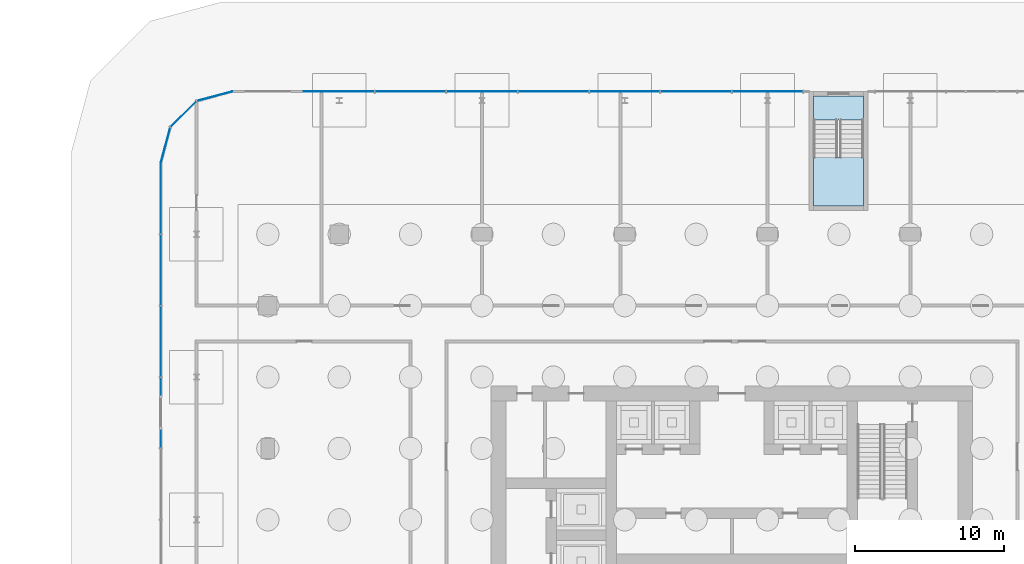
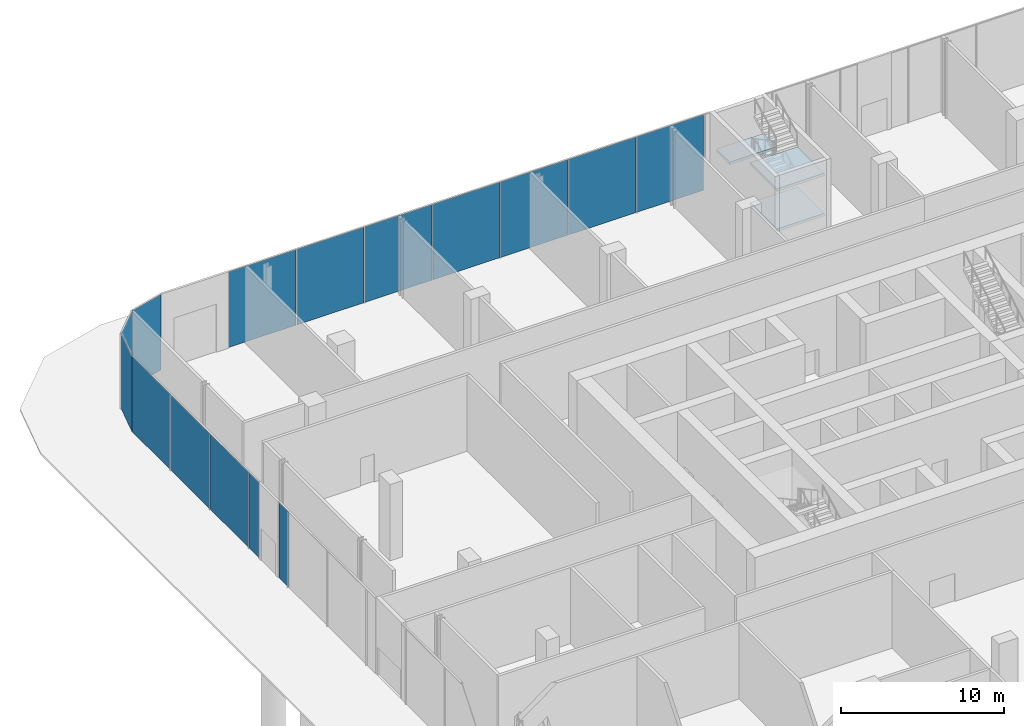
# One storey, part 25 of 44: 15 plates, 3 slabs, 4 elements without a shape of their own.
"""IFC4 building model written with IfcOpenShell, lengths in metres."""

import ifcopenshell
import ifcopenshell.guid

model = None  # the IFC model being written
_history = None  # IfcOwnerHistory: only IFC2X3 demands one
_inside = {}  # id of a spatial element -> (the spatial element, [elements in it])
_under = {}  # id of a project, library or spatial element -> (it, [spatial elements below it])
_declared = {}  # id of a project -> (the project, [libraries it declares])
_typed = {}  # id of a type object -> (the type object, [elements of that type])
_made_of = {}  # id of a material, layer set ... -> (it, [elements and type objects made of it])


def new_model(schema):
    """Start an empty IFC model of exactly this schema.

    Asked for "IFC4X3", IfcOpenShell would pick the latest addendum, in which some entities
    have other attributes; the version numbers below select the first issue.
    IFC2X3 requires an IfcOwnerHistory on every rooted entity: one is made here for all.
    """
    global model, _history
    if schema == "IFC4X3":
        model = ifcopenshell.file(schema_version=(4, 3, 0, 0))
    else:
        model = ifcopenshell.file(schema=schema)
    _inside.clear()
    _under.clear()
    _declared.clear()
    _typed.clear()
    _made_of.clear()
    _history = None
    if model.schema == "IFC2X3":
        org = make("IfcOrganization", Name="unknown")
        user = make(
            "IfcPersonAndOrganization",
            ThePerson=make("IfcPerson", FamilyName="unknown"),
            TheOrganization=org,
        )
        app = make(
            "IfcApplication",
            ApplicationDeveloper=org,
            Version="unknown",
            ApplicationFullName="unknown",
            ApplicationIdentifier="unknown",
        )
        _history = make(
            "IfcOwnerHistory",
            OwningUser=user,
            OwningApplication=app,
            ChangeAction="ADDED",
            CreationDate=0,
        )
    return model


def make(cls, **values):
    """One entity of the class cls with the attributes given. An attribute that is None is left unset."""
    return model.create_entity(
        cls, **{name: value for name, value in values.items() if value is not None}
    )


def rooted(cls, **values):
    """An entity with a GlobalId (a new one), such as an element, a storey or a relation."""
    return make(cls, GlobalId=ifcopenshell.guid.new(), OwnerHistory=_history, **values)


def si_unit(unit_type, name, prefix=None):
    """IfcSIUnit, for example si_unit("LENGTHUNIT", "METRE", prefix="MILLI")."""
    return make("IfcSIUnit", UnitType=unit_type, Prefix=prefix, Name=name)


def assignment(units):
    """IfcUnitAssignment: the units of a project."""
    return None if units is None else make("IfcUnitAssignment", Units=units)


def point(xyz):
    """IfcCartesianPoint."""
    return None if xyz is None else make("IfcCartesianPoint", Coordinates=xyz)


def direction(xyz):
    """IfcDirection."""
    return None if xyz is None else make("IfcDirection", DirectionRatios=xyz)


def frame(location, z_axis=None, x_axis=None):
    """IfcAxis2Placement3D, a coordinate frame: its origin and axes. An axis left out is left unset."""
    return make(
        "IfcAxis2Placement3D",
        Location=point(location),
        Axis=direction(z_axis),
        RefDirection=direction(x_axis),
    )


def frame_2d(location, x_axis=None):
    """IfcAxis2Placement2D, a coordinate frame in the plane: its origin and x axis."""
    return make(
        "IfcAxis2Placement2D", Location=point(location), RefDirection=direction(x_axis)
    )


def origin():
    """The frame at (0, 0, 0) with its axes left unset."""
    return frame((0.0, 0.0, 0.0))


def origin_2d():
    """The frame at (0, 0) in the plane with its x axis left unset."""
    return frame_2d((0.0, 0.0))


def place(relative_to, where):
    """IfcLocalPlacement: puts the frame where relative to a parent placement (None: the world)."""
    return make(
        "IfcLocalPlacement", PlacementRelTo=relative_to, RelativePlacement=where
    )


def context(
    kind, dimensions, precision=None, world=None, true_north=None, identifier=None
):
    """IfcGeometricRepresentationContext, for example the 3D "Model" context."""
    return make(
        "IfcGeometricRepresentationContext",
        ContextIdentifier=identifier,
        ContextType=kind,
        CoordinateSpaceDimension=dimensions,
        Precision=precision,
        WorldCoordinateSystem=world,
        TrueNorth=true_north,
    )


def subcontext(parent, identifier, kind, view, scale=None):
    """IfcGeometricRepresentationSubContext, for example "Body" below "Model"."""
    return make(
        "IfcGeometricRepresentationSubContext",
        ContextIdentifier=identifier,
        ContextType=kind,
        ParentContext=parent,
        TargetScale=scale,
        TargetView=view,
    )


def project(units=None, contexts=None):
    """IfcProject with its units and contexts."""
    return rooted(
        "IfcProject",
        Name="project",
        RepresentationContexts=contexts,
        UnitsInContext=assignment(units),
    )


def spatial(cls, under=None, at=None, **own):
    """A site, building, storey or space (cls), placed at a placement, below another one or the project."""
    s = rooted(cls, ObjectPlacement=at, **own)
    if under is not None:
        _under.setdefault(under.id(), (under, []))[1].append(s)
    return s


def polyline(points):
    """IfcPolyline through the points."""
    return make("IfcPolyline", Points=[point(p) for p in points])


def profile(cls, at=None, kind="AREA", **sizes):
    """A parametric profile (cls). Its sizes go by their IFC names, for example OverallWidth=200.0."""
    return make(cls, ProfileType=kind, Position=at, **sizes)


def rectangle(**sizes):
    """IfcRectangleProfileDef."""
    return profile("IfcRectangleProfileDef", **sizes)


def outline(outer, holes=None, kind="AREA"):
    """IfcArbitraryClosedProfileDef: a profile drawn as a closed curve; with holes, ...WithVoids."""
    if holes is None:
        return make("IfcArbitraryClosedProfileDef", ProfileType=kind, OuterCurve=outer)
    return make(
        "IfcArbitraryProfileDefWithVoids",
        ProfileType=kind,
        OuterCurve=outer,
        InnerCurves=holes,
    )


def extrude(swept, where, along, depth):
    """IfcExtrudedAreaSolid: the profile swept, set in the frame where, extruded along a direction by depth."""
    return make(
        "IfcExtrudedAreaSolid",
        SweptArea=swept,
        Position=where,
        ExtrudedDirection=direction(along),
        Depth=depth,
    )


def shape(context_of_items, identifier, shape_type, items):
    """IfcShapeRepresentation: the items that make up one representation, for example the "Body"."""
    return make(
        "IfcShapeRepresentation",
        ContextOfItems=context_of_items,
        RepresentationIdentifier=identifier,
        RepresentationType=shape_type,
        Items=items,
    )


def material(Name=None, Category=None):
    """IfcMaterial."""
    return make("IfcMaterial", Name=Name, Category=Category)


def layer(
    of_material, thickness, ventilated=None, Name=None, Category=None, Priority=None
):
    """IfcMaterialLayer: one layer of a wall or slab, of a material (None: an air gap)."""
    return make(
        "IfcMaterialLayer",
        Material=of_material,
        LayerThickness=thickness,
        IsVentilated=ventilated,
        Name=Name,
        Category=Category,
        Priority=Priority,
    )


def layer_set(layers, Name=None):
    """IfcMaterialLayerSet."""
    return make("IfcMaterialLayerSet", MaterialLayers=layers, LayerSetName=Name)


def made_of(thing, what):
    """Note that an element or type object is made of a material, layer set ...; save() writes the relation."""
    if what is not None:
        _made_of.setdefault(what.id(), (what, []))[1].append(thing)
    return thing


def type_object(cls, material=None, **own):
    """A type object (cls), such as IfcWallType, which elements share."""
    return made_of(rooted(cls, **own), material)


def element(
    cls,
    number,
    at=None,
    inside=None,
    cuts=None,
    type_object=None,
    material=None,
    context=None,
    identifier="Body",
    shape_type=None,
    held_by="IfcProductDefinitionShape",
    body=None,
    shapes=None,
    **own,
):
    """One element of the class cls, such as IfcWall. Its Tag is "e" and its number.

    at: its placement. inside: the storey or other place that contains it. cuts: it is an
    opening in that element (IfcRelVoidsElement). A single representation is given by context,
    identifier, shape_type and body (its items); several are given by shapes. held_by: the class
    of the entity that holds the representations. save() writes the other relations.
    """
    e = rooted(cls, Tag="e%d" % number, ObjectPlacement=at, **own)
    if body is not None:
        shapes = [shape(context, identifier, shape_type, body)]
    if shapes is not None:
        e.Representation = make(held_by, Representations=shapes)
    if inside is not None:
        _inside.setdefault(inside.id(), (inside, []))[1].append(e)
    if cuts is not None:
        rooted(
            "IfcRelVoidsElement", RelatingBuildingElement=cuts, RelatedOpeningElement=e
        )
    if type_object is not None:
        _typed.setdefault(type_object.id(), (type_object, []))[1].append(e)
    return made_of(e, material)


def aggregate(whole, parts):
    """IfcRelAggregates: a whole, such as a stair, and the parts it consists of."""
    return rooted("IfcRelAggregates", RelatingObject=whole, RelatedObjects=parts)


def save(model, path):
    """Write the relations noted so far, then the file.

    IfcRelAggregates (storeys below a building ...), IfcRelContainedInSpatialStructure (elements
    in a storey), IfcRelDefinesByType, IfcRelAssociatesMaterial and IfcRelDeclares: one each for
    every whole, place, type object, material and project.
    """
    for whole, parts in _under.values():
        aggregate(whole, parts)
    for where, things in _inside.values():
        rooted(
            "IfcRelContainedInSpatialStructure",
            RelatedElements=things,
            RelatingStructure=where,
        )
    for kind, things in _typed.values():
        rooted("IfcRelDefinesByType", RelatedObjects=things, RelatingType=kind)
    for what, things in _made_of.values():
        rooted("IfcRelAssociatesMaterial", RelatedObjects=things, RelatingMaterial=what)
    for by, libraries in _declared.values():
        rooted("IfcRelDeclares", RelatingContext=by, RelatedDefinitions=libraries)
    model.write(path)


model = new_model("IFC4")

# Units and contexts
model_context = context("Model", 3, precision=1e-05, world=origin(), true_north=direction((0.0, 1.0)))
body_context = subcontext(model_context, "Body", "Model", "MODEL_VIEW")
ifc_project = project(units=[si_unit("LENGTHUNIT", "METRE"), si_unit("AREAUNIT", "SQUARE_METRE"), si_unit("VOLUMEUNIT", "CUBIC_METRE"), si_unit("PLANEANGLEUNIT", "RADIAN"), si_unit("MASSUNIT", "GRAM", prefix="KILO")], contexts=[model_context])

# Site, building, storey
site_placement = place(None, origin())
site = spatial("IfcSite", under=ifc_project, at=site_placement, CompositionType="ELEMENT")
building_placement = place(site_placement, origin())
building = spatial("IfcBuilding", under=site, at=building_placement, Name="Madar Terraces", CompositionType="ELEMENT")
storey_placement = place(building_placement, origin())
storey = spatial("IfcBuildingStorey", under=building, at=storey_placement, Name="L00", CompositionType="ELEMENT", Elevation=0.0)

# Curtain wall, plates
ifc_material_1 = material(Name="Glass, clear low-iron, with black aluminium frame", Category="aluminium")
ifc_layer_1 = layer(ifc_material_1, 0.199951171875)
ifc_layer_set_1 = layer_set([ifc_layer_1], Name="Facade curtain wall, shopfront glazing")
curtain_wall_type = type_object("IfcCurtainWallType", Name="Facade curtain wall, shopfront glazing", PredefinedType="NOTDEFINED", material=ifc_layer_set_1)
curtain_wall_1_placement = place(storey_placement, origin())
curtain_wall_1 = element("IfcCurtainWall", 1, at=curtain_wall_1_placement, inside=storey, type_object=curtain_wall_type, Name="Outer skin curtain wall north bay 1", PredefinedType="NOTDEFINED")
ifc_material_2 = material(Name="Glass, ceramic frit dark grey", Category="glass")
ifc_layer_2 = layer(ifc_material_2, 0.028076171875)
ifc_layer_set_2 = layer_set([ifc_layer_2], Name="Facade glass panel 28")
plate_type = type_object("IfcPlateType", Name="Facade glass panel 28", PredefinedType="CURTAIN_PANEL", material=ifc_layer_set_2)
plate_1_placement = place(storey_placement, frame((33.60009765625, 57.60009765625, 0.0), z_axis=(0.0, 0.0, 1.0), x_axis=(-1.0, 0.0, 0.0)))
plate_1 = element("IfcPlate", 2, at=plate_1_placement, type_object=plate_type, Name="Panel 9", PredefinedType="CURTAIN_PANEL", context=body_context, shape_type="SweptSolid", body=[
    extrude(rectangle(XDim=4.739990234375, YDim=0.028076171875, at=origin_2d()), origin(), (0.0, 0.0, 1.0), 5.639892578125),
])
plate_2_placement = place(storey_placement, frame((28.800048828125, 57.60009765625, 0.0), z_axis=(0.0, 0.0, 1.0), x_axis=(-1.0, 0.0, 0.0)))
plate_2 = element("IfcPlate", 3, at=plate_2_placement, type_object=plate_type, Name="Panel 10", PredefinedType="CURTAIN_PANEL", context=body_context, shape_type="SweptSolid", body=[
    extrude(rectangle(XDim=4.739990234375, YDim=0.028076171875, at=origin_2d()), origin(), (0.0, 0.0, 1.0), 5.639892578125),
])
plate_3_placement = place(storey_placement, frame((24.0, 57.60009765625, 0.0), z_axis=(0.0, 0.0, 1.0), x_axis=(-1.0, 0.0, 0.0)))
plate_3 = element("IfcPlate", 4, at=plate_3_placement, type_object=plate_type, Name="Panel 11", PredefinedType="CURTAIN_PANEL", context=body_context, shape_type="SweptSolid", body=[
    extrude(rectangle(XDim=4.739990234375, YDim=0.028076171875, at=origin_2d()), origin(), (0.0, 0.0, 1.0), 5.639892578125),
])
plate_4_placement = place(storey_placement, frame((19.199951171875, 57.60009765625, 0.0), z_axis=(0.0, 0.0, 1.0), x_axis=(-1.0, 0.0, 0.0)))
plate_4 = element("IfcPlate", 5, at=plate_4_placement, type_object=plate_type, Name="Panel 12", PredefinedType="CURTAIN_PANEL", context=body_context, shape_type="SweptSolid", body=[
    extrude(rectangle(XDim=4.739990234375, YDim=0.028076171875, at=origin_2d()), origin(), (0.0, 0.0, 1.0), 5.639892578125),
])
plate_5_placement = place(storey_placement, frame((14.39990234375, 57.60009765625, 0.0), z_axis=(0.0, 0.0, 1.0), x_axis=(-1.0, 0.0, 0.0)))
plate_5 = element("IfcPlate", 6, at=plate_5_placement, type_object=plate_type, Name="Panel 13", PredefinedType="CURTAIN_PANEL", context=body_context, shape_type="SweptSolid", body=[
    extrude(rectangle(XDim=4.739990234375, YDim=0.028076171875, at=origin_2d()), origin(), (0.0, 0.0, 1.0), 5.639892578125),
])
plate_6_placement = place(storey_placement, frame((9.60009765625, 57.60009765625, 0.0), z_axis=(0.0, 0.0, 1.0), x_axis=(-1.0, 0.0, 0.0)))
plate_6 = element("IfcPlate", 7, at=plate_6_placement, type_object=plate_type, Name="Panel 14", PredefinedType="CURTAIN_PANEL", context=body_context, shape_type="SweptSolid", body=[
    extrude(rectangle(XDim=4.739990234375, YDim=0.028076171875, at=origin_2d()), origin(), (0.0, 0.0, 1.0), 5.639892578125),
])
plate_7_placement = place(storey_placement, frame((4.784912109375, 57.60009765625, 0.0), z_axis=(0.0, 0.0, 1.0), x_axis=(-1.0, 0.0, 0.0)))
plate_7 = element("IfcPlate", 8, at=plate_7_placement, type_object=plate_type, Name="Panel 15", PredefinedType="CURTAIN_PANEL", context=body_context, shape_type="SweptSolid", body=[
    extrude(rectangle(XDim=4.77001953125, YDim=0.028076171875, at=origin_2d()), origin(), (0.0, 0.0, 1.0), 5.639892578125),
])
aggregate(curtain_wall_1, [plate_1, plate_2, plate_3, plate_4, plate_5, plate_6, plate_7])

curtain_wall_2_placement = place(storey_placement, origin())
curtain_wall_2 = element("IfcCurtainWall", 9, at=curtain_wall_2_placement, inside=storey, type_object=curtain_wall_type, Name="Outer skin curtain wall west bay 1", PredefinedType="NOTDEFINED")
plate_8_placement = place(storey_placement, frame((-7.199951171875, 50.4150390625, 0.0), z_axis=(0.0, 0.0, 1.0), x_axis=(0.0, -1.0, 0.0)))
plate_8 = element("IfcPlate", 10, at=plate_8_placement, type_object=plate_type, Name="Panel 1", PredefinedType="CURTAIN_PANEL", context=body_context, shape_type="SweptSolid", body=[
    extrude(rectangle(XDim=4.77001953125, YDim=0.028076171875, at=origin_2d()), origin(), (0.0, 0.0, 1.0), 5.639892578125),
])
plate_9_placement = place(storey_placement, frame((-7.199951171875, 45.60009765625, 0.0), z_axis=(0.0, 0.0, 1.0), x_axis=(0.0, -1.0, 0.0)))
plate_9 = element("IfcPlate", 11, at=plate_9_placement, type_object=plate_type, Name="Panel 2", PredefinedType="CURTAIN_PANEL", context=body_context, shape_type="SweptSolid", body=[
    extrude(rectangle(XDim=4.739990234375, YDim=0.028076171875, at=origin_2d()), origin(), (0.0, 0.0, 1.0), 5.639892578125),
])
plate_10_placement = place(storey_placement, frame((-7.199951171875, 40.800048828125, 0.0), z_axis=(0.0, 0.0, 1.0), x_axis=(0.0, -1.0, 0.0)))
plate_10 = element("IfcPlate", 12, at=plate_10_placement, type_object=plate_type, Name="Panel 3", PredefinedType="CURTAIN_PANEL", context=body_context, shape_type="SweptSolid", body=[
    extrude(rectangle(XDim=4.739990234375, YDim=0.028076171875, at=origin_2d()), origin(), (0.0, 0.0, 1.0), 5.639892578125),
])
plate_11_placement = place(storey_placement, frame((-7.199951171875, 37.784912109375, 0.0), z_axis=(0.0, 0.0, 1.0), x_axis=(0.0, -1.0, 0.0)))
plate_11 = element("IfcPlate", 13, at=plate_11_placement, type_object=plate_type, Name="Panel 4", PredefinedType="CURTAIN_PANEL", context=body_context, shape_type="SweptSolid", body=[
    extrude(rectangle(XDim=1.169921875, YDim=0.028076171875, at=origin_2d()), origin(), (0.0, 0.0, 1.0), 5.639892578125),
])
plate_12_placement = place(storey_placement, frame((-7.199951171875, 34.215087890625, 0.0), z_axis=(0.0, 0.0, 1.0), x_axis=(0.0, -1.0, 0.0)))
plate_12 = element("IfcPlate", 14, at=plate_12_placement, type_object=plate_type, Name="Panel 5", PredefinedType="CURTAIN_PANEL", context=body_context, shape_type="SweptSolid", body=[
    extrude(rectangle(XDim=1.169921875, YDim=0.028076171875, at=origin_2d()), origin(), (0.0, 0.0, 1.0), 5.639892578125),
])
aggregate(curtain_wall_2, [plate_8, plate_9, plate_10, plate_11, plate_12])

curtain_wall_3_placement = place(storey_placement, origin())
curtain_wall_3 = element("IfcCurtainWall", 15, at=curtain_wall_3_placement, inside=storey, type_object=curtain_wall_type, Name="Outer skin curtain wall north-west corner", PredefinedType="NOTDEFINED")
plate_13_placement = place(storey_placement, frame((-3.58544921875, 57.2822265625, 0.0), z_axis=(0.0, 0.0, 1.0), x_axis=(-0.965925832509, -0.258819021888, 0.0)))
plate_13 = element("IfcPlate", 16, at=plate_13_placement, type_object=plate_type, Name="Panel 1", PredefinedType="CURTAIN_PANEL", context=body_context, shape_type="SweptSolid", body=[
    extrude(rectangle(XDim=2.45458984375, YDim=0.028076171875, at=origin_2d()), origin(), (0.0, 0.0, 1.0), 5.639892578125),
])
plate_14_placement = place(storey_placement, frame((-5.678466796875, 56.078369140625, 0.0), z_axis=(0.0, 0.0, 1.0), x_axis=(-0.707106781187, -0.707106781187, 0.0)))
plate_14 = element("IfcPlate", 17, at=plate_14_placement, type_object=plate_type, Name="Panel 2", PredefinedType="CURTAIN_PANEL", context=body_context, shape_type="SweptSolid", body=[
    extrude(rectangle(XDim=2.424560546875, YDim=0.028076171875, at=origin_2d()), origin(), (0.0, 0.0, 1.0), 5.639892578125),
])
plate_15_placement = place(storey_placement, frame((-6.88232421875, 53.985595703125, 0.0), z_axis=(0.0, 0.0, 1.0), x_axis=(-0.258819021888, -0.965925832509, 0.0)))
plate_15 = element("IfcPlate", 18, at=plate_15_placement, type_object=plate_type, Name="Panel 3", PredefinedType="CURTAIN_PANEL", context=body_context, shape_type="SweptSolid", body=[
    extrude(rectangle(XDim=2.45458984375, YDim=0.028076171875, at=origin_2d()), origin(), (0.0, 0.0, 1.0), 5.639892578125),
])
aggregate(curtain_wall_3, [plate_13, plate_14, plate_15])

# Stair, slabs
ifc_material_3 = material(Name="Concrete C50/60", Category="concrete")
stair_type = type_object("IfcStairType", Name="Stair PS2 protected exit", PredefinedType="HALF_TURN_STAIR", material=ifc_material_3)
stair_placement = place(storey_placement, origin())
stair = element("IfcStair", 19, at=stair_placement, inside=storey, type_object=stair_type, Name="L00 Protected Exit Stair PS2", PredefinedType="HALF_TURN_STAIR")
ifc_material_4 = material(Name="Concrete C50/60", Category="concrete")
ifc_layer_3 = layer(ifc_material_4, 0.199951171875)
ifc_layer_set_3 = layer_set([ifc_layer_3], Name="Stair landing 200, top +1.50")
slab_type_1 = type_object("IfcSlabType", Name="Stair landing 200, top +1.50", PredefinedType="LANDING", material=ifc_layer_set_3)
slab_1_placement = place(storey_placement, frame((0.0, 0.0, 1.300048828125)))
slab_1 = element("IfcSlab", 20, at=slab_1_placement, type_object=slab_type_1, Name="PS2 landing 1", PredefinedType="LANDING", context=body_context, shape_type="SweptSolid", body=[
    extrude(outline(polyline([(36.699951171875, 49.89990234375), (40.050048828125, 49.89990234375), (40.050048828125, 53.169921875), (36.699951171875, 53.169921875), (36.699951171875, 49.89990234375)])), origin(), (0.0, 0.0, 1.0), 0.199951171875),
])
ifc_material_5 = material(Name="Concrete C50/60", Category="concrete")
ifc_layer_4 = layer(ifc_material_5, 0.199951171875)
ifc_layer_set_4 = layer_set([ifc_layer_4], Name="Stair landing 200, top +3.00")
slab_type_2 = type_object("IfcSlabType", Name="Stair landing 200, top +3.00", PredefinedType="LANDING", material=ifc_layer_set_4)
slab_2_placement = place(storey_placement, frame((0.0, 0.0, 2.800048828125)))
slab_2 = element("IfcSlab", 21, at=slab_2_placement, type_object=slab_type_2, Name="PS2 landing 2", PredefinedType="LANDING", context=body_context, shape_type="SweptSolid", body=[
    extrude(outline(polyline([(36.699951171875, 55.669921875), (40.050048828125, 55.669921875), (40.050048828125, 57.300048828125), (36.699951171875, 57.300048828125), (36.699951171875, 55.669921875)])), origin(), (0.0, 0.0, 1.0), 0.199951171875),
])
ifc_material_6 = material(Name="Concrete C50/60", Category="concrete")
ifc_layer_5 = layer(ifc_material_6, 0.199951171875)
ifc_layer_set_5 = layer_set([ifc_layer_5], Name="Stair landing 200, top +4.50")
slab_type_3 = type_object("IfcSlabType", Name="Stair landing 200, top +4.50", PredefinedType="LANDING", material=ifc_layer_set_5)
slab_3_placement = place(storey_placement, frame((0.0, 0.0, 4.300048828125)))
slab_3 = element("IfcSlab", 22, at=slab_3_placement, type_object=slab_type_3, Name="PS2 landing 3", PredefinedType="LANDING", context=body_context, shape_type="SweptSolid", body=[
    extrude(outline(polyline([(36.699951171875, 49.89990234375), (40.050048828125, 49.89990234375), (40.050048828125, 53.169921875), (36.699951171875, 53.169921875), (36.699951171875, 49.89990234375)])), origin(), (0.0, 0.0, 1.0), 0.199951171875),
])
aggregate(stair, [slab_1, slab_2, slab_3])

save(model, "model.ifc")
